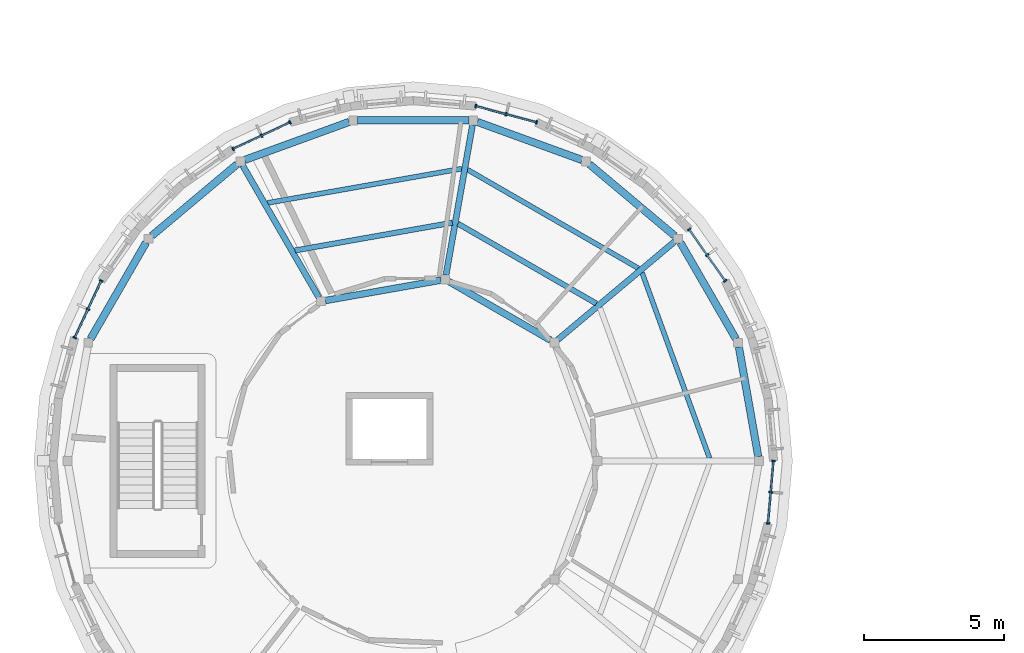
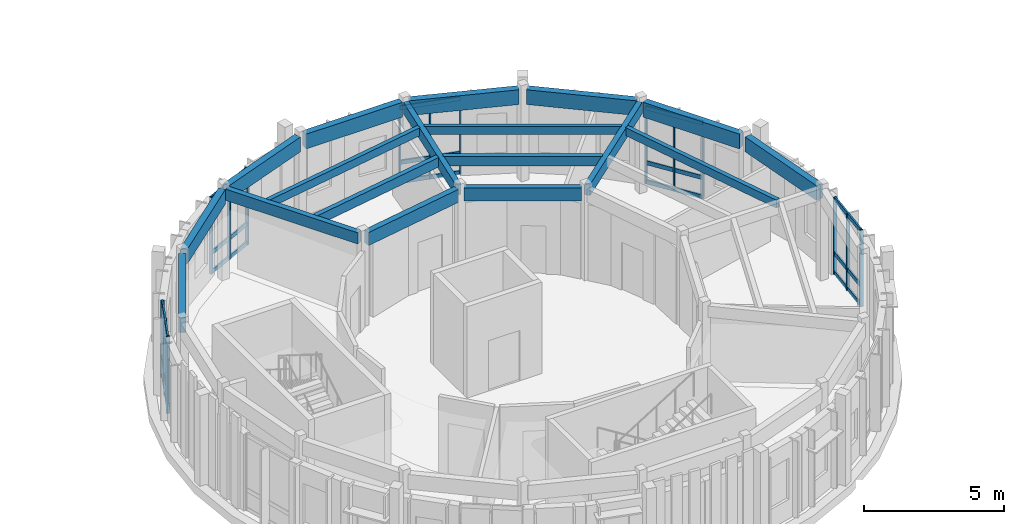
# One storey, part 5 of 37: 30 members, 18 beams, 5 elements without a shape of their own.
"""IFC4 building model written with IfcOpenShell, lengths in metres."""

from ifc_helpers import new_model, si_unit, direction, frame, origin, origin_2d, place, context, subcontext, project, spatial, rectangle, extrude, material, layer, layer_set, material_profile, profile_set, type_object, element, aggregate, save


model = new_model("IFC4")

# Units and contexts
model_context = context("Model", 3, precision=1e-05, world=origin(), true_north=direction((0.0, 1.0)))
body_context = subcontext(model_context, "Body", "Model", "MODEL_VIEW")
ifc_project = project(units=[si_unit("LENGTHUNIT", "METRE"), si_unit("AREAUNIT", "SQUARE_METRE"), si_unit("VOLUMEUNIT", "CUBIC_METRE"), si_unit("PLANEANGLEUNIT", "RADIAN"), si_unit("MASSUNIT", "GRAM", prefix="KILO")], contexts=[model_context])

# Site, building, storey
site_placement = place(None, origin())
site = spatial("IfcSite", under=ifc_project, at=site_placement, CompositionType="ELEMENT")
building_placement = place(site_placement, origin())
building = spatial("IfcBuilding", under=site, at=building_placement, Name="Aldenvaro Health Centre", CompositionType="ELEMENT")
storey_placement = place(building_placement, frame((0.0, 0.0, 12.949951171875)))
storey = spatial("IfcBuildingStorey", under=building, at=storey_placement, Name="L03", CompositionType="ELEMENT", Elevation=12.949951171875)

# Beams
ifc_material_1 = material(Name="Glulam GL28h", Category="wood")
ifc_material_profile_1 = material_profile(ifc_material_1, rectangle(XDim=0.175048828125, YDim=0.35009765625, at=origin_2d()), Name="GL 175x350", Category="wood")
ifc_profile_set_1 = profile_set([ifc_material_profile_1], Name="Glulam GL28h")
beam_type_1 = type_object("IfcBeamType", Name="BM-GL-350", PredefinedType="JOIST", material=ifc_profile_set_1)
beam_1_placement = place(storey_placement, frame((29.10888671875, 18.60107421875, 3.820068359375), z_axis=(-0.342009334008, 0.939696554985, 0.0), x_axis=(-0.939696554985, -0.342009334008, 0.0)))
element("IfcBeam", 1, at=beam_1_placement, inside=storey, type_object=beam_type_1, Name="D5 L03 secondary joist 01.2", PredefinedType="JOIST", context=body_context, shape_type="SweptSolid", body=[
    extrude(rectangle(XDim=0.175048828125, YDim=0.35009765625, at=origin_2d()), origin(), (0.0, 0.0, 1.0), 7.067138671875),
])
beam_2_placement = place(storey_placement, frame((26.56298828125, 25.39697265625, 3.820068359375), z_axis=(-0.866030278967, 0.499991555841, 0.0), x_axis=(-0.499991555841, -0.866030278967, 0.0)))
element("IfcBeam", 2, at=beam_2_placement, inside=storey, type_object=beam_type_1, Name="D5 L03 secondary joist 02.2", PredefinedType="JOIST", context=body_context, shape_type="SweptSolid", body=[
    extrude(rectangle(XDim=0.175048828125, YDim=0.35009765625, at=origin_2d()), origin(), (0.0, 0.0, 1.0), 7.06787109375),
])
beam_3_placement = place(storey_placement, frame((20.242919921875, 28.966064453125, 3.820068359375), z_axis=(-0.984788427089, -0.173757744782, 0.0), x_axis=(0.173757744782, -0.984788427089, 0.0)))
element("IfcBeam", 3, at=beam_3_placement, inside=storey, type_object=beam_type_1, Name="D5 L03 secondary joist 03.2", PredefinedType="JOIST", context=body_context, shape_type="SweptSolid", body=[
    extrude(rectangle(XDim=0.175048828125, YDim=0.35009765625, at=origin_2d()), origin(), (0.0, 0.0, 1.0), 7.0673828125),
])
ifc_material_profile_2 = material_profile(ifc_material_1, rectangle(XDim=0.18994140625, YDim=0.41796875, at=origin_2d()), Name="GL 190x418", Category="wood")
ifc_profile_set_2 = profile_set([ifc_material_profile_2], Name="Glulam GL28h")
beam_type_2 = type_object("IfcBeamType", Name="BM-GL-418", PredefinedType="JOIST", material=ifc_profile_set_2)
beam_4_placement = place(storey_placement, frame((25.056884765625, 24.134033203125, 3.7861328125), z_axis=(-0.866037099742, 0.499979741459, 0.0), x_axis=(-0.499979741459, -0.866037099742, 0.0)))
element("IfcBeam", 4, at=beam_4_placement, inside=storey, type_object=beam_type_2, Name="D5 L03 secondary joist 02.1", PredefinedType="JOIST", context=body_context, shape_type="SweptSolid", body=[
    extrude(rectangle(XDim=0.18994140625, YDim=0.41796875, at=origin_2d()), origin(), (0.0, 0.0, 1.0), 5.722412109375),
])
beam_5_placement = place(storey_placement, frame((19.902099609375, 27.030029296875, 3.7861328125), z_axis=(-0.984803303426, -0.173673410634, 0.0), x_axis=(0.173673410634, -0.984803303426, 0.0)))
element("IfcBeam", 5, at=beam_5_placement, inside=storey, type_object=beam_type_2, Name="D5 L03 secondary joist 03.1", PredefinedType="JOIST", context=body_context, shape_type="SweptSolid", body=[
    extrude(rectangle(XDim=0.18994140625, YDim=0.41796875, at=origin_2d()), origin(), (0.0, 0.0, 1.0), 5.72412109375),
])
ifc_material_profile_3 = material_profile(ifc_material_1, rectangle(XDim=0.215087890625, YDim=0.493896484375, at=origin_2d()), Name="GL 215x494", Category="wood")
ifc_profile_set_3 = profile_set([ifc_material_profile_3], Name="Glulam GL28h")
beam_type_3 = type_object("IfcBeamType", Name="BM-GL-494", PredefinedType="BEAM", material=ifc_profile_set_3)
for number, where, z_axis, x_axis, name in (
    (6, (23.677001953125, 22.843017578125, 3.748046875), (0.765916902312, 0.642939576285, 0.0), (-0.642939576285, 0.765916902312, 0.0), "D5 L03 radial beam 02"),
    (7, (19.673095703125, 25.155029296875, 3.748046875), (0.173815914158, 0.984778161814, 0.0), (-0.984778161814, 0.173815914158, 0.0), "D5 L03 radial beam 03"),
):
    element("IfcBeam", number, at=place(storey_placement, frame(where, z_axis=z_axis, x_axis=x_axis)), inside=storey, type_object=beam_type_3, Name=name, PredefinedType="BEAM", context=body_context, shape_type="SweptSolid", body=[
        extrude(rectangle(XDim=0.215087890625, YDim=0.493896484375, at=origin_2d()), origin(), (0.0, 0.0, 1.0), 5.46533203125),
    ])
beam_6_placement = place(storey_placement, frame((15.12109375, 24.35205078125, 3.748046875), z_axis=(-0.499949327893, 0.866054657362, 0.0), x_axis=(-0.866054657362, -0.499949327893, 0.0)))
element("IfcBeam", 8, at=beam_6_placement, inside=storey, type_object=beam_type_3, Name="D5 L03 radial beam 04", PredefinedType="BEAM", context=body_context, shape_type="SweptSolid", body=[
    extrude(rectangle(XDim=0.215087890625, YDim=0.493896484375, at=origin_2d()), origin(), (0.0, 0.0, 1.0), 5.46484375),
])
ifc_material_profile_4 = material_profile(ifc_material_1, rectangle(XDim=0.239990234375, YDim=0.570068359375, at=origin_2d()), Name="GL 240x570", Category="wood")
ifc_profile_set_4 = profile_set([ifc_material_profile_4], Name="Glulam GL28h")
beam_type_4 = type_object("IfcBeamType", Name="BM-GL-570", PredefinedType="BEAM", material=ifc_profile_set_4)
beam_7_placement = place(storey_placement, frame((23.419921875, 22.821044921875, 3.7099609375), z_axis=(-0.866078159404, 0.499908613451, 0.0), x_axis=(-0.499908613451, -0.866078159404, 0.0)))
element("IfcBeam", 9, at=beam_7_placement, inside=storey, type_object=beam_type_4, Name="D5 L03 inner ring beam 02", PredefinedType="BEAM", context=body_context, shape_type="SweptSolid", body=[
    extrude(rectangle(XDim=0.239990234375, YDim=0.570068359375, at=origin_2d()), origin(), (0.0, 0.0, 1.0), 4.200439453125),
])
beam_8_placement = place(storey_placement, frame((19.490966796875, 24.972900390625, 3.7099609375), z_axis=(-0.984779462139, -0.173808546827, 0.0), x_axis=(0.173808546827, -0.984779462139, 0.0)))
element("IfcBeam", 10, at=beam_8_placement, inside=storey, type_object=beam_type_4, Name="D5 L03 inner ring beam 03", PredefinedType="BEAM", context=body_context, shape_type="SweptSolid", body=[
    extrude(rectangle(XDim=0.239990234375, YDim=0.570068359375, at=origin_2d()), origin(), (0.0, 0.0, 1.0), 4.199951171875),
])
ifc_material_profile_5 = material_profile(ifc_material_1, rectangle(XDim=0.264892578125, YDim=0.64599609375, at=origin_2d()), Name="GL 265x646", Category="wood")
ifc_profile_set_5 = profile_set([ifc_material_profile_5], Name="Glulam GL28h")
beam_type_5 = type_object("IfcBeamType", Name="BM-GL-646", PredefinedType="SPANDREL", material=ifc_profile_set_5)
for number, where, z_axis, x_axis, name in (
    (11, (30.85302734375, 18.655029296875, 3.672119140625), (-0.173939117933, 0.984756408079, 0.0), (-0.984756408079, -0.173939117933, 0.0), "D5 L03 perimeter spandrel 01"),
    (12, (30.053955078125, 22.8701171875, 3.672119140625), (-0.499625213324, 0.86624167887, 0.0), (-0.86624167887, -0.499625213324, 0.0), "D5 L03 perimeter spandrel 02"),
):
    element("IfcBeam", number, at=place(storey_placement, frame(where, z_axis=z_axis, x_axis=x_axis)), inside=storey, type_object=beam_type_5, Name=name, PredefinedType="SPANDREL", context=body_context, shape_type="SweptSolid", body=[
        extrude(rectangle(XDim=0.264892578125, YDim=0.64599609375, at=origin_2d()), origin(), (0.0, 0.0, 1.0), 3.98486328125),
    ])
beam_9_placement = place(storey_placement, frame((27.863037109375, 26.55908203125, 3.672119140625), z_axis=(-0.766031905624, 0.642802550995, 0.0), x_axis=(-0.642802550995, -0.766031905624, 0.0)))
element("IfcBeam", 13, at=beam_9_placement, inside=storey, type_object=beam_type_5, Name="D5 L03 perimeter spandrel 03", PredefinedType="SPANDREL", context=body_context, shape_type="SweptSolid", body=[
    extrude(rectangle(XDim=0.264892578125, YDim=0.64599609375, at=origin_2d()), origin(), (0.0, 0.0, 1.0), 3.984130859375),
])
beam_10_placement = place(storey_placement, frame((24.5419921875, 29.27490234375, 3.672119140625), z_axis=(-0.939662752653, 0.3421021942, 0.0), x_axis=(-0.3421021942, -0.939662752653, 0.0)))
element("IfcBeam", 14, at=beam_10_placement, inside=storey, type_object=beam_type_5, Name="D5 L03 perimeter spandrel 04", PredefinedType="SPANDREL", context=body_context, shape_type="SweptSolid", body=[
    extrude(rectangle(XDim=0.264892578125, YDim=0.64599609375, at=origin_2d()), origin(), (0.0, 0.0, 1.0), 3.984375),
])
beam_11_placement = place(storey_placement, frame((20.491943359375, 30.69189453125, 3.672119140625), z_axis=(-1.0, 0.0, 0.0), x_axis=(0.0, -1.0, 0.0)))
element("IfcBeam", 15, at=beam_11_placement, inside=storey, type_object=beam_type_5, Name="D5 L03 perimeter spandrel 05", PredefinedType="SPANDREL", context=body_context, shape_type="SweptSolid", body=[
    extrude(rectangle(XDim=0.264892578125, YDim=0.64599609375, at=origin_2d()), origin(), (0.0, 0.0, 1.0), 3.98388671875),
])
beam_12_placement = place(storey_placement, frame((16.201904296875, 30.637939453125, 3.672119140625), z_axis=(-0.939662752653, -0.3421021942, 0.0), x_axis=(0.3421021942, -0.939662752653, 0.0)))
element("IfcBeam", 16, at=beam_12_placement, inside=storey, type_object=beam_type_5, Name="D5 L03 perimeter spandrel 06", PredefinedType="SPANDREL", context=body_context, shape_type="SweptSolid", body=[
    extrude(rectangle(XDim=0.264892578125, YDim=0.64599609375, at=origin_2d()), origin(), (0.0, 0.0, 1.0), 3.984375),
])
beam_13_placement = place(storey_placement, frame((12.18896484375, 29.1201171875, 3.672119140625), z_axis=(-0.766031905624, -0.642802550995, 0.0), x_axis=(0.642802550995, -0.766031905624, 0.0)))
element("IfcBeam", 17, at=beam_13_placement, inside=storey, type_object=beam_type_5, Name="D5 L03 perimeter spandrel 07", PredefinedType="SPANDREL", context=body_context, shape_type="SweptSolid", body=[
    extrude(rectangle(XDim=0.264892578125, YDim=0.64599609375, at=origin_2d()), origin(), (0.0, 0.0, 1.0), 3.984130859375),
])
beam_14_placement = place(storey_placement, frame((8.93701171875, 26.322021484375, 3.672119140625), z_axis=(-0.499625213324, -0.86624167887, 0.0), x_axis=(0.86624167887, -0.499625213324, 0.0)))
element("IfcBeam", 18, at=beam_14_placement, inside=storey, type_object=beam_type_5, Name="D5 L03 perimeter spandrel 08", PredefinedType="SPANDREL", context=body_context, shape_type="SweptSolid", body=[
    extrude(rectangle(XDim=0.264892578125, YDim=0.64599609375, at=origin_2d()), origin(), (0.0, 0.0, 1.0), 3.98486328125),
])

# Curtain wall, members
ifc_material_2 = material(Name="Anodised Aluminium 6063-T6", Category="aluminium")
ifc_layer = layer(ifc_material_2, 0.22509765625, Name="Anodised Aluminium 6063-T6", Category="aluminium")
ifc_layer_set = layer_set([ifc_layer], Name="Anodised Aluminium 6063-T6")
curtain_wall_type = type_object("IfcCurtainWallType", Name="CW-TER-04", PredefinedType="NOTDEFINED", material=ifc_layer_set)
curtain_wall_1_placement = place(storey_placement, origin())
curtain_wall_1 = element("IfcCurtainWall", 19, at=curtain_wall_1_placement, inside=storey, type_object=curtain_wall_type, Name="D5 L03 curtain wall bay 01", PredefinedType="NOTDEFINED")
ifc_material_profile_6 = material_profile(ifc_material_2, rectangle(XDim=0.06005859375, YDim=0.135009765625, at=origin_2d()), Name="ALU 60x135", Category="aluminium")
ifc_profile_set_6 = profile_set([ifc_material_profile_6], Name="Anodised Aluminium 6063-T6")
member_type_1 = type_object("IfcMemberType", Name="CWM-150", PredefinedType="MULLION", material=ifc_profile_set_6)
member_1_placement = place(storey_placement, frame((31.39990234375, 18.5, 0.0), z_axis=(0.0, 0.0, 1.0), x_axis=(-0.087166950289, -0.996193717495, 0.0)))
member_1 = element("IfcMember", 20, at=member_1_placement, type_object=member_type_1, Name="D5 L03 curtain wall bay 01 mullion 1", PredefinedType="MULLION", context=body_context, shape_type="SweptSolid", body=[
    extrude(rectangle(XDim=0.06005859375, YDim=0.135009765625, at=origin_2d()), origin(), (0.0, 0.0, 1.0), 3.34912109375),
])
member_2_placement = place(storey_placement, frame((31.302001953125, 17.3798828125, 0.0), z_axis=(0.0, 0.0, 1.0), x_axis=(-0.087166950289, -0.996193717495, 0.0)))
member_2 = element("IfcMember", 21, at=member_2_placement, type_object=member_type_1, Name="D5 L03 curtain wall bay 01 mullion 2", PredefinedType="MULLION", context=body_context, shape_type="SweptSolid", body=[
    extrude(rectangle(XDim=0.06005859375, YDim=0.135009765625, at=origin_2d()), origin(), (0.0, 0.0, 1.0), 3.34912109375),
])
member_3_placement = place(storey_placement, frame((31.2041015625, 16.260009765625, 0.0), z_axis=(0.0, 0.0, 1.0), x_axis=(-0.087166950289, -0.996193717495, 0.0)))
member_3 = element("IfcMember", 22, at=member_3_placement, type_object=member_type_1, Name="D5 L03 curtain wall bay 01 mullion 3", PredefinedType="MULLION", context=body_context, shape_type="SweptSolid", body=[
    extrude(rectangle(XDim=0.06005859375, YDim=0.135009765625, at=origin_2d()), origin(), (0.0, 0.0, 1.0), 3.34912109375),
])

curtain_wall_2_placement = place(storey_placement, origin())
curtain_wall_2 = element("IfcCurtainWall", 23, at=curtain_wall_2_placement, inside=storey, type_object=curtain_wall_type, Name="D5 L03 curtain wall bay 21", PredefinedType="NOTDEFINED")
member_4_placement = place(storey_placement, frame((6.3779296875, 22.912109375, 0.0), z_axis=(0.0, 0.0, 1.0), x_axis=(0.422495879545, 0.906364844733, 0.0)))
member_4 = element("IfcMember", 24, at=member_4_placement, type_object=member_type_1, Name="D5 L03 curtain wall bay 21 mullion 1", PredefinedType="MULLION", context=body_context, shape_type="SweptSolid", body=[
    extrude(rectangle(XDim=0.06005859375, YDim=0.135009765625, at=origin_2d()), origin(), (0.0, 0.0, 1.0), 3.34912109375),
])
member_5_placement = place(storey_placement, frame((6.85302734375, 23.930908203125, 0.0), z_axis=(0.0, 0.0, 1.0), x_axis=(0.422495879545, 0.906364844733, 0.0)))
member_5 = element("IfcMember", 25, at=member_5_placement, type_object=member_type_1, Name="D5 L03 curtain wall bay 21 mullion 2", PredefinedType="MULLION", context=body_context, shape_type="SweptSolid", body=[
    extrude(rectangle(XDim=0.06005859375, YDim=0.135009765625, at=origin_2d()), origin(), (0.0, 0.0, 1.0), 3.34912109375),
])
member_6_placement = place(storey_placement, frame((7.327880859375, 24.949951171875, 0.0), z_axis=(0.0, 0.0, 1.0), x_axis=(0.422495879545, 0.906364844733, 0.0)))
member_6 = element("IfcMember", 26, at=member_6_placement, type_object=member_type_1, Name="D5 L03 curtain wall bay 21 mullion 3", PredefinedType="MULLION", context=body_context, shape_type="SweptSolid", body=[
    extrude(rectangle(XDim=0.06005859375, YDim=0.135009765625, at=origin_2d()), origin(), (0.0, 0.0, 1.0), 3.34912109375),
])

curtain_wall_3_placement = place(storey_placement, origin())
curtain_wall_3 = element("IfcCurtainWall", 27, at=curtain_wall_3_placement, inside=storey, type_object=curtain_wall_type, Name="D5 L03 curtain wall bay 25", PredefinedType="NOTDEFINED")
member_7_placement = place(storey_placement, frame((12.050048828125, 29.672119140625, 0.0), z_axis=(0.0, 0.0, 1.0), x_axis=(0.906364844733, 0.422495879545, 0.0)))
member_7 = element("IfcMember", 28, at=member_7_placement, type_object=member_type_1, Name="D5 L03 curtain wall bay 25 mullion 1", PredefinedType="MULLION", context=body_context, shape_type="SweptSolid", body=[
    extrude(rectangle(XDim=0.06005859375, YDim=0.135009765625, at=origin_2d()), origin(), (0.0, 0.0, 1.0), 3.34912109375),
])
member_8_placement = place(storey_placement, frame((13.069091796875, 30.14697265625, 0.0), z_axis=(0.0, 0.0, 1.0), x_axis=(0.906364844733, 0.422495879545, 0.0)))
member_8 = element("IfcMember", 29, at=member_8_placement, type_object=member_type_1, Name="D5 L03 curtain wall bay 25 mullion 2", PredefinedType="MULLION", context=body_context, shape_type="SweptSolid", body=[
    extrude(rectangle(XDim=0.06005859375, YDim=0.135009765625, at=origin_2d()), origin(), (0.0, 0.0, 1.0), 3.34912109375),
])
member_9_placement = place(storey_placement, frame((14.087890625, 30.6220703125, 0.0), z_axis=(0.0, 0.0, 1.0), x_axis=(0.906364844733, 0.422495879545, 0.0)))
member_9 = element("IfcMember", 30, at=member_9_placement, type_object=member_type_1, Name="D5 L03 curtain wall bay 25 mullion 3", PredefinedType="MULLION", context=body_context, shape_type="SweptSolid", body=[
    extrude(rectangle(XDim=0.06005859375, YDim=0.135009765625, at=origin_2d()), origin(), (0.0, 0.0, 1.0), 3.34912109375),
])

curtain_wall_4_placement = place(storey_placement, origin())
curtain_wall_4 = element("IfcCurtainWall", 31, at=curtain_wall_4_placement, inside=storey, type_object=curtain_wall_type, Name="D5 L03 curtain wall bay 29", PredefinedType="NOTDEFINED")
member_10_placement = place(storey_placement, frame((20.739990234375, 31.2041015625, 0.0), z_axis=(0.0, 0.0, 1.0), x_axis=(0.9659242304, -0.258825000966, 0.0)))
member_10 = element("IfcMember", 32, at=member_10_placement, type_object=member_type_1, Name="D5 L03 curtain wall bay 29 mullion 1", PredefinedType="MULLION", context=body_context, shape_type="SweptSolid", body=[
    extrude(rectangle(XDim=0.06005859375, YDim=0.135009765625, at=origin_2d()), origin(), (0.0, 0.0, 1.0), 3.34912109375),
])
member_11_placement = place(storey_placement, frame((21.825927734375, 30.9130859375, 0.0), z_axis=(0.0, 0.0, 1.0), x_axis=(0.9659242304, -0.258825000966, 0.0)))
member_11 = element("IfcMember", 33, at=member_11_placement, type_object=member_type_1, Name="D5 L03 curtain wall bay 29 mullion 2", PredefinedType="MULLION", context=body_context, shape_type="SweptSolid", body=[
    extrude(rectangle(XDim=0.06005859375, YDim=0.135009765625, at=origin_2d()), origin(), (0.0, 0.0, 1.0), 3.34912109375),
])
member_12_placement = place(storey_placement, frame((22.912109375, 30.6220703125, 0.0), z_axis=(0.0, 0.0, 1.0), x_axis=(0.9659242304, -0.258825000966, 0.0)))
member_12 = element("IfcMember", 34, at=member_12_placement, type_object=member_type_1, Name="D5 L03 curtain wall bay 29 mullion 3", PredefinedType="MULLION", context=body_context, shape_type="SweptSolid", body=[
    extrude(rectangle(XDim=0.06005859375, YDim=0.135009765625, at=origin_2d()), origin(), (0.0, 0.0, 1.0), 3.34912109375),
])

curtain_wall_5_placement = place(storey_placement, origin())
curtain_wall_5 = element("IfcCurtainWall", 35, at=curtain_wall_5_placement, inside=storey, type_object=curtain_wall_type, Name="D5 L03 curtain wall bay 33", PredefinedType="NOTDEFINED")
member_13_placement = place(storey_placement, frame((28.382080078125, 26.7919921875, 0.0), z_axis=(0.0, 0.0, 1.0), x_axis=(0.573641397746, -0.819106553991, 0.0)))
member_13 = element("IfcMember", 36, at=member_13_placement, type_object=member_type_1, Name="D5 L03 curtain wall bay 33 mullion 1", PredefinedType="MULLION", context=body_context, shape_type="SweptSolid", body=[
    extrude(rectangle(XDim=0.06005859375, YDim=0.135009765625, at=origin_2d()), origin(), (0.0, 0.0, 1.0), 3.34912109375),
])
member_14_placement = place(storey_placement, frame((29.027099609375, 25.87109375, 0.0), z_axis=(0.0, 0.0, 1.0), x_axis=(0.573641397746, -0.819106553991, 0.0)))
member_14 = element("IfcMember", 37, at=member_14_placement, type_object=member_type_1, Name="D5 L03 curtain wall bay 33 mullion 2", PredefinedType="MULLION", context=body_context, shape_type="SweptSolid", body=[
    extrude(rectangle(XDim=0.06005859375, YDim=0.135009765625, at=origin_2d()), origin(), (0.0, 0.0, 1.0), 3.34912109375),
])
member_15_placement = place(storey_placement, frame((29.672119140625, 24.949951171875, 0.0), z_axis=(0.0, 0.0, 1.0), x_axis=(0.573641397746, -0.819106553991, 0.0)))
member_15 = element("IfcMember", 38, at=member_15_placement, type_object=member_type_1, Name="D5 L03 curtain wall bay 33 mullion 3", PredefinedType="MULLION", context=body_context, shape_type="SweptSolid", body=[
    extrude(rectangle(XDim=0.06005859375, YDim=0.135009765625, at=origin_2d()), origin(), (0.0, 0.0, 1.0), 3.34912109375),
])

# Member
ifc_material_profile_7 = material_profile(ifc_material_2, rectangle(XDim=0.06494140625, YDim=0.179931640625, at=origin_2d()), Name="ALU 65x180", Category="aluminium")
ifc_profile_set_7 = profile_set([ifc_material_profile_7], Name="Anodised Aluminium 6063-T6")
member_type_2 = type_object("IfcMemberType", Name="CWT-150", PredefinedType="USERDEFINED", material=ifc_profile_set_7)
member_16_placement = place(storey_placement, frame((31.39990234375, 18.5, 0.06005859375), z_axis=(-0.087079400775, -0.996201374201, 0.0), x_axis=(0.996201374201, -0.087079400775, 0.0)))
member_16 = element("IfcMember", 39, at=member_16_placement, type_object=member_type_2, Name="D5 L03 curtain wall bay 01 transom 1", ObjectType="TRANSOM", PredefinedType="USERDEFINED", context=body_context, shape_type="SweptSolid", body=[
    extrude(rectangle(XDim=0.06494140625, YDim=0.179931640625, at=origin_2d()), origin(), (0.0, 0.0, 1.0), 2.24853515625),
])

member_17_placement = place(storey_placement, frame((31.39990234375, 18.5, 0.900146484375), z_axis=(-0.087079400775, -0.996201374201, 0.0), x_axis=(0.996201374201, -0.087079400775, 0.0)))
member_17 = element("IfcMember", 40, at=member_17_placement, type_object=member_type_2, Name="D5 L03 curtain wall bay 01 transom 2", ObjectType="TRANSOM", PredefinedType="USERDEFINED", context=body_context, shape_type="SweptSolid", body=[
    extrude(rectangle(XDim=0.06494140625, YDim=0.179931640625, at=origin_2d()), origin(), (0.0, 0.0, 1.0), 2.24853515625),
])

member_18_placement = place(storey_placement, frame((31.39990234375, 18.5, 3.2890625), z_axis=(-0.087079400775, -0.996201374201, 0.0), x_axis=(0.996201374201, -0.087079400775, 0.0)))
member_18 = element("IfcMember", 41, at=member_18_placement, type_object=member_type_2, Name="D5 L03 curtain wall bay 01 transom 3", ObjectType="TRANSOM", PredefinedType="USERDEFINED", context=body_context, shape_type="SweptSolid", body=[
    extrude(rectangle(XDim=0.06494140625, YDim=0.179931640625, at=origin_2d()), origin(), (0.0, 0.0, 1.0), 2.24853515625),
])

aggregate(curtain_wall_1, [member_1, member_2, member_3, member_16, member_17, member_18])

member_19_placement = place(storey_placement, frame((6.3779296875, 22.912109375, 0.06005859375), z_axis=(0.422504983593, 0.906360600886, 0.0), x_axis=(-0.906360600886, 0.422504983593, 0.0)))
member_19 = element("IfcMember", 42, at=member_19_placement, type_object=member_type_2, Name="D5 L03 curtain wall bay 21 transom 1", ObjectType="TRANSOM", PredefinedType="USERDEFINED", context=body_context, shape_type="SweptSolid", body=[
    extrude(rectangle(XDim=0.06494140625, YDim=0.179931640625, at=origin_2d()), origin(), (0.0, 0.0, 1.0), 2.248291015625),
])

member_20_placement = place(storey_placement, frame((6.3779296875, 22.912109375, 0.900146484375), z_axis=(0.422504983593, 0.906360600886, 0.0), x_axis=(-0.906360600886, 0.422504983593, 0.0)))
member_20 = element("IfcMember", 43, at=member_20_placement, type_object=member_type_2, Name="D5 L03 curtain wall bay 21 transom 2", ObjectType="TRANSOM", PredefinedType="USERDEFINED", context=body_context, shape_type="SweptSolid", body=[
    extrude(rectangle(XDim=0.06494140625, YDim=0.179931640625, at=origin_2d()), origin(), (0.0, 0.0, 1.0), 2.248291015625),
])

member_21_placement = place(storey_placement, frame((6.3779296875, 22.912109375, 3.2890625), z_axis=(0.422504983593, 0.906360600886, 0.0), x_axis=(-0.906360600886, 0.422504983593, 0.0)))
member_21 = element("IfcMember", 44, at=member_21_placement, type_object=member_type_2, Name="D5 L03 curtain wall bay 21 transom 3", ObjectType="TRANSOM", PredefinedType="USERDEFINED", context=body_context, shape_type="SweptSolid", body=[
    extrude(rectangle(XDim=0.06494140625, YDim=0.179931640625, at=origin_2d()), origin(), (0.0, 0.0, 1.0), 2.248291015625),
])

aggregate(curtain_wall_2, [member_4, member_5, member_6, member_19, member_20, member_21])

member_22_placement = place(storey_placement, frame((12.050048828125, 29.672119140625, 0.06005859375), z_axis=(0.906360600886, 0.422504983593, 0.0), x_axis=(-0.422504983593, 0.906360600886, 0.0)))
member_22 = element("IfcMember", 45, at=member_22_placement, type_object=member_type_2, Name="D5 L03 curtain wall bay 25 transom 1", ObjectType="TRANSOM", PredefinedType="USERDEFINED", context=body_context, shape_type="SweptSolid", body=[
    extrude(rectangle(XDim=0.06494140625, YDim=0.179931640625, at=origin_2d()), origin(), (0.0, 0.0, 1.0), 2.248291015625),
])

member_23_placement = place(storey_placement, frame((12.050048828125, 29.672119140625, 0.900146484375), z_axis=(0.906360600886, 0.422504983593, 0.0), x_axis=(-0.422504983593, 0.906360600886, 0.0)))
member_23 = element("IfcMember", 46, at=member_23_placement, type_object=member_type_2, Name="D5 L03 curtain wall bay 25 transom 2", ObjectType="TRANSOM", PredefinedType="USERDEFINED", context=body_context, shape_type="SweptSolid", body=[
    extrude(rectangle(XDim=0.06494140625, YDim=0.179931640625, at=origin_2d()), origin(), (0.0, 0.0, 1.0), 2.248291015625),
])

member_24_placement = place(storey_placement, frame((12.050048828125, 29.672119140625, 3.2890625), z_axis=(0.906360600886, 0.422504983593, 0.0), x_axis=(-0.422504983593, 0.906360600886, 0.0)))
member_24 = element("IfcMember", 47, at=member_24_placement, type_object=member_type_2, Name="D5 L03 curtain wall bay 25 transom 3", ObjectType="TRANSOM", PredefinedType="USERDEFINED", context=body_context, shape_type="SweptSolid", body=[
    extrude(rectangle(XDim=0.06494140625, YDim=0.179931640625, at=origin_2d()), origin(), (0.0, 0.0, 1.0), 2.248291015625),
])

aggregate(curtain_wall_3, [member_7, member_8, member_9, member_22, member_23, member_24])

member_25_placement = place(storey_placement, frame((20.739990234375, 31.2041015625, 0.06005859375), z_axis=(0.96592430538, -0.258824721145, 0.0), x_axis=(0.258824721145, 0.96592430538, 0.0)))
member_25 = element("IfcMember", 48, at=member_25_placement, type_object=member_type_2, Name="D5 L03 curtain wall bay 29 transom 1", ObjectType="TRANSOM", PredefinedType="USERDEFINED", context=body_context, shape_type="SweptSolid", body=[
    extrude(rectangle(XDim=0.06494140625, YDim=0.179931640625, at=origin_2d()), origin(), (0.0, 0.0, 1.0), 2.248779296875),
])

member_26_placement = place(storey_placement, frame((20.739990234375, 31.2041015625, 0.900146484375), z_axis=(0.96592430538, -0.258824721145, 0.0), x_axis=(0.258824721145, 0.96592430538, 0.0)))
member_26 = element("IfcMember", 49, at=member_26_placement, type_object=member_type_2, Name="D5 L03 curtain wall bay 29 transom 2", ObjectType="TRANSOM", PredefinedType="USERDEFINED", context=body_context, shape_type="SweptSolid", body=[
    extrude(rectangle(XDim=0.06494140625, YDim=0.179931640625, at=origin_2d()), origin(), (0.0, 0.0, 1.0), 2.248779296875),
])

member_27_placement = place(storey_placement, frame((20.739990234375, 31.2041015625, 3.2890625), z_axis=(0.96592430538, -0.258824721145, 0.0), x_axis=(0.258824721145, 0.96592430538, 0.0)))
member_27 = element("IfcMember", 50, at=member_27_placement, type_object=member_type_2, Name="D5 L03 curtain wall bay 29 transom 3", ObjectType="TRANSOM", PredefinedType="USERDEFINED", context=body_context, shape_type="SweptSolid", body=[
    extrude(rectangle(XDim=0.06494140625, YDim=0.179931640625, at=origin_2d()), origin(), (0.0, 0.0, 1.0), 2.248779296875),
])

aggregate(curtain_wall_4, [member_10, member_11, member_12, member_25, member_26, member_27])

member_28_placement = place(storey_placement, frame((28.382080078125, 26.7919921875, 0.06005859375), z_axis=(0.573644482107, -0.819104393925, 0.0), x_axis=(0.819104393925, 0.573644482107, 0.0)))
member_28 = element("IfcMember", 51, at=member_28_placement, type_object=member_type_2, Name="D5 L03 curtain wall bay 33 transom 1", ObjectType="TRANSOM", PredefinedType="USERDEFINED", context=body_context, shape_type="SweptSolid", body=[
    extrude(rectangle(XDim=0.06494140625, YDim=0.179931640625, at=origin_2d()), origin(), (0.0, 0.0, 1.0), 2.248779296875),
])

member_29_placement = place(storey_placement, frame((28.382080078125, 26.7919921875, 0.900146484375), z_axis=(0.573644482107, -0.819104393925, 0.0), x_axis=(0.819104393925, 0.573644482107, 0.0)))
member_29 = element("IfcMember", 52, at=member_29_placement, type_object=member_type_2, Name="D5 L03 curtain wall bay 33 transom 2", ObjectType="TRANSOM", PredefinedType="USERDEFINED", context=body_context, shape_type="SweptSolid", body=[
    extrude(rectangle(XDim=0.06494140625, YDim=0.179931640625, at=origin_2d()), origin(), (0.0, 0.0, 1.0), 2.248779296875),
])

member_30_placement = place(storey_placement, frame((28.382080078125, 26.7919921875, 3.2890625), z_axis=(0.573644482107, -0.819104393925, 0.0), x_axis=(0.819104393925, 0.573644482107, 0.0)))
member_30 = element("IfcMember", 53, at=member_30_placement, type_object=member_type_2, Name="D5 L03 curtain wall bay 33 transom 3", ObjectType="TRANSOM", PredefinedType="USERDEFINED", context=body_context, shape_type="SweptSolid", body=[
    extrude(rectangle(XDim=0.06494140625, YDim=0.179931640625, at=origin_2d()), origin(), (0.0, 0.0, 1.0), 2.248779296875),
])

aggregate(curtain_wall_5, [member_13, member_14, member_15, member_28, member_29, member_30])

save(model, "model.ifc")
